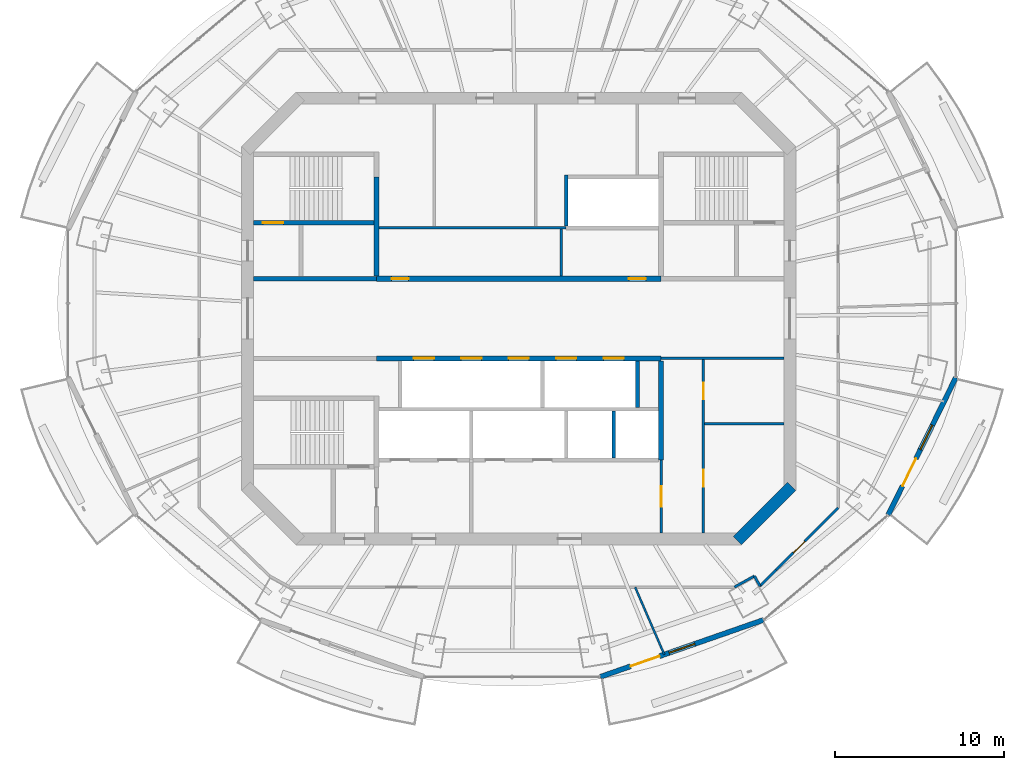
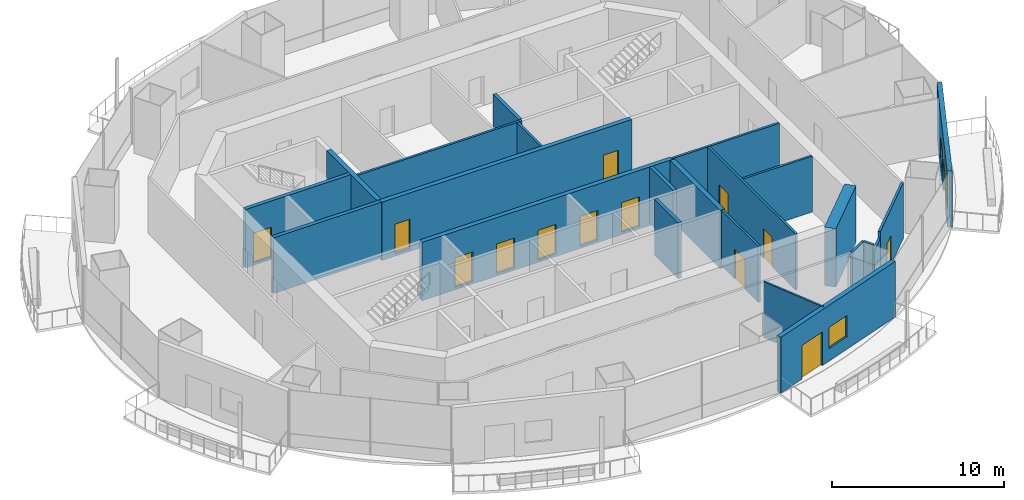
# One storey, part 9 of 16: 23 walls, 14 doors, 2 windows, 16 openings.
"""IFC4 building model written with IfcOpenShell, lengths in metres."""

from ifc_helpers import new_model, si_unit, direction, frame, frame_2d, origin, place, context, subcontext, project, spatial, rectangle, extrude, material, layer, layer_set, type_object, element, fill, save


model = new_model("IFC4")

# Units and contexts
model_context = context("Model", 3, precision=1e-05, world=origin(), true_north=direction((0.0, 1.0)))
body_context = subcontext(model_context, "Body", "Model", "MODEL_VIEW")
ifc_project = project(units=[si_unit("LENGTHUNIT", "METRE"), si_unit("AREAUNIT", "SQUARE_METRE"), si_unit("VOLUMEUNIT", "CUBIC_METRE"), si_unit("PLANEANGLEUNIT", "RADIAN"), si_unit("MASSUNIT", "GRAM", prefix="KILO")], contexts=[model_context])

# Site, building, storey
site_placement = place(None, origin())
site = spatial("IfcSite", under=ifc_project, at=site_placement, CompositionType="ELEMENT")
building_placement = place(site_placement, origin())
building = spatial("IfcBuilding", under=site, at=building_placement, Name="Marenthal Gate Tower", CompositionType="ELEMENT")
storey_placement = place(building_placement, frame((0.0, 0.0, 350.89990234375)))
storey = spatial("IfcBuildingStorey", under=building, at=storey_placement, Name="L79", CompositionType="ELEMENT", Elevation=350.89990234375)

# Wall
ifc_material_1 = material(Name="Concrete 60 MPa", Category="concrete")
ifc_layer_1 = layer(ifc_material_1, 0.699951171875)
ifc_layer_set_1 = layer_set([ifc_layer_1], Name="Core shear wall 700")
wall_type_1 = type_object("IfcWallType", Name="Core shear wall 700", PredefinedType="SHEAR", material=ifc_layer_set_1)
wall_1_placement = place(storey_placement, frame((12.8974609375, -13.1025390625, -0.179931640625), z_axis=(0.0, 0.0, 1.0), x_axis=(0.707106781187, 0.707106781187, 0.0)))
element("IfcWall", 1, at=wall_1_placement, inside=storey, type_object=wall_type_1, Name="Core wall 01", PredefinedType="SHEAR", context=body_context, shape_type="SweptSolid", body=[
    extrude(rectangle(XDim=4.53271484375, YDim=0.699951171875, at=frame_2d((2.266357421875, 0.0))), origin(), (0.0, 0.0, 1.0), 4.150146484375),
])

# Wall, openings, doors
ifc_material_2 = material(Name="Concrete 50 MPa", Category="concrete")
ifc_layer_2 = layer(ifc_material_2, 0.300048828125)
ifc_layer_set_2 = layer_set([ifc_layer_2], Name="Hoistway shear wall 300")
wall_type_2 = type_object("IfcWallType", Name="Hoistway shear wall 300", PredefinedType="SHEAR", material=ifc_layer_set_2)
wall_2_placement = place(storey_placement, frame((-8.39990234375, -2.35009765625, -0.179931640625), z_axis=(0.0, 0.0, 1.0), x_axis=(1.0, 0.0, 0.0)))
wall_2 = element("IfcWall", 2, at=wall_2_placement, inside=storey, type_object=wall_type_2, Name="Hoistway wall 16", PredefinedType="SHEAR", context=body_context, shape_type="SweptSolid", body=[
    extrude(rectangle(XDim=16.7998046875, YDim=0.300048828125, at=frame_2d((8.39990234375, 0.0))), origin(), (0.0, 0.0, 1.0), 4.150146484375),
])
opening_1_placement = place(wall_2_placement, frame((2.199951171875, 0.0, 0.179931640625)))
opening_1 = element("IfcOpeningElement", 3, at=opening_1_placement, cuts=wall_2, Name="Opening LD-HP1", PredefinedType="OPENING", context=body_context, shape_type="SweptSolid", body=[
    extrude(rectangle(XDim=1.199951171875, YDim=2.10009765625, at=frame_2d((0.60009765625, 1.050048828125))), frame((0.0, 0.16015625, 0.0), z_axis=(0.0, -1.0, 0.0), x_axis=(1.0, 0.0, 0.0)), (0.0, 0.0, 1.0), 0.320068359375),
])
opening_2_placement = place(wall_2_placement, frame((5.0, 0.0, 0.179931640625)))
opening_2 = element("IfcOpeningElement", 4, at=opening_2_placement, cuts=wall_2, Name="Opening LD-HP2", PredefinedType="OPENING", context=body_context, shape_type="SweptSolid", body=[
    extrude(rectangle(XDim=1.199951171875, YDim=2.10009765625, at=frame_2d((0.60009765625, 1.050048828125))), frame((0.0, 0.16015625, 0.0), z_axis=(0.0, -1.0, 0.0), x_axis=(1.0, 0.0, 0.0)), (0.0, 0.0, 1.0), 0.320068359375),
])
opening_3_placement = place(wall_2_placement, frame((7.800048828125, 0.0, 0.179931640625)))
opening_3 = element("IfcOpeningElement", 5, at=opening_3_placement, cuts=wall_2, Name="Opening LD-HP3", PredefinedType="OPENING", context=body_context, shape_type="SweptSolid", body=[
    extrude(rectangle(XDim=1.199951171875, YDim=2.10009765625, at=frame_2d((0.60009765625, 1.050048828125))), frame((0.0, 0.16015625, 0.0), z_axis=(0.0, -1.0, 0.0), x_axis=(1.0, 0.0, 0.0)), (0.0, 0.0, 1.0), 0.320068359375),
])
opening_4_placement = place(wall_2_placement, frame((10.60009765625, 0.0, 0.179931640625)))
opening_4 = element("IfcOpeningElement", 6, at=opening_4_placement, cuts=wall_2, Name="Opening LD-HP4", PredefinedType="OPENING", context=body_context, shape_type="SweptSolid", body=[
    extrude(rectangle(XDim=1.199951171875, YDim=2.10009765625, at=frame_2d((0.60009765625, 1.050048828125))), frame((0.0, 0.16015625, 0.0), z_axis=(0.0, -1.0, 0.0), x_axis=(1.0, 0.0, 0.0)), (0.0, 0.0, 1.0), 0.320068359375),
])
opening_5_placement = place(wall_2_placement, frame((13.39990234375, 0.0, 0.179931640625)))
opening_5 = element("IfcOpeningElement", 7, at=opening_5_placement, cuts=wall_2, Name="Opening LD-HP5", PredefinedType="OPENING", context=body_context, shape_type="SweptSolid", body=[
    extrude(rectangle(XDim=1.199951171875, YDim=2.10009765625, at=frame_2d((0.60009765625, 1.050048828125))), frame((0.0, 0.16015625, 0.0), z_axis=(0.0, -1.0, 0.0), x_axis=(1.0, 0.0, 0.0)), (0.0, 0.0, 1.0), 0.320068359375),
])
ifc_material_3 = material(Name="Stainless steel sliding door", Category="steel")
door_type_1 = type_object("IfcDoorType", Name="Lift landing door FD 90 1200 x 2100", OperationType="DOUBLE_DOOR_SLIDING", PredefinedType="DOOR", material=ifc_material_3)
door_1_placement = place(opening_1_placement, origin())
door_1 = element("IfcDoor", 8, at=door_1_placement, inside=storey, type_object=door_type_1, Name="Lift landing door HP1", OperationType="DOUBLE_DOOR_SLIDING", OverallHeight=2.10009765625, OverallWidth=1.199951171875, PredefinedType="DOOR", context=body_context, shape_type="SweptSolid", body=[
    extrude(rectangle(XDim=1.199951171875, YDim=2.10009765625, at=frame_2d((0.60009765625, 1.050048828125))), frame((0.0, 0.02490234375, 0.0), z_axis=(0.0, -1.0, 0.0), x_axis=(1.0, 0.0, 0.0)), (0.0, 0.0, 1.0), 0.050048828125),
])
fill(opening_1, door_1)
door_2_placement = place(opening_2_placement, origin())
door_2 = element("IfcDoor", 9, at=door_2_placement, inside=storey, type_object=door_type_1, Name="Lift landing door HP2", OperationType="DOUBLE_DOOR_SLIDING", OverallHeight=2.10009765625, OverallWidth=1.199951171875, PredefinedType="DOOR", context=body_context, shape_type="SweptSolid", body=[
    extrude(rectangle(XDim=1.199951171875, YDim=2.10009765625, at=frame_2d((0.60009765625, 1.050048828125))), frame((0.0, 0.02490234375, 0.0), z_axis=(0.0, -1.0, 0.0), x_axis=(1.0, 0.0, 0.0)), (0.0, 0.0, 1.0), 0.050048828125),
])
fill(opening_2, door_2)
door_3_placement = place(opening_3_placement, origin())
door_3 = element("IfcDoor", 10, at=door_3_placement, inside=storey, type_object=door_type_1, Name="Lift landing door HP3", OperationType="DOUBLE_DOOR_SLIDING", OverallHeight=2.10009765625, OverallWidth=1.199951171875, PredefinedType="DOOR", context=body_context, shape_type="SweptSolid", body=[
    extrude(rectangle(XDim=1.199951171875, YDim=2.10009765625, at=frame_2d((0.60009765625, 1.050048828125))), frame((0.0, 0.02490234375, 0.0), z_axis=(0.0, -1.0, 0.0), x_axis=(1.0, 0.0, 0.0)), (0.0, 0.0, 1.0), 0.050048828125),
])
fill(opening_3, door_3)
door_4_placement = place(opening_4_placement, origin())
door_4 = element("IfcDoor", 11, at=door_4_placement, inside=storey, type_object=door_type_1, Name="Lift landing door HP4", OperationType="DOUBLE_DOOR_SLIDING", OverallHeight=2.10009765625, OverallWidth=1.199951171875, PredefinedType="DOOR", context=body_context, shape_type="SweptSolid", body=[
    extrude(rectangle(XDim=1.199951171875, YDim=2.10009765625, at=frame_2d((0.60009765625, 1.050048828125))), frame((0.0, 0.02490234375, 0.0), z_axis=(0.0, -1.0, 0.0), x_axis=(1.0, 0.0, 0.0)), (0.0, 0.0, 1.0), 0.050048828125),
])
fill(opening_4, door_4)
door_5_placement = place(opening_5_placement, origin())
door_5 = element("IfcDoor", 12, at=door_5_placement, inside=storey, type_object=door_type_1, Name="Lift landing door HP5", OperationType="DOUBLE_DOOR_SLIDING", OverallHeight=2.10009765625, OverallWidth=1.199951171875, PredefinedType="DOOR", context=body_context, shape_type="SweptSolid", body=[
    extrude(rectangle(XDim=1.199951171875, YDim=2.10009765625, at=frame_2d((0.60009765625, 1.050048828125))), frame((0.0, 0.02490234375, 0.0), z_axis=(0.0, -1.0, 0.0), x_axis=(1.0, 0.0, 0.0)), (0.0, 0.0, 1.0), 0.050048828125),
])
fill(opening_5, door_5)

wall_3_placement = place(storey_placement, frame((-8.39990234375, 2.35009765625, -0.179931640625), z_axis=(0.0, 0.0, 1.0), x_axis=(1.0, 0.0, 0.0)))
wall_3 = element("IfcWall", 13, at=wall_3_placement, inside=storey, type_object=wall_type_2, Name="Hoistway wall 19", PredefinedType="SHEAR", context=body_context, shape_type="SweptSolid", body=[
    extrude(rectangle(XDim=16.7998046875, YDim=0.300048828125, at=frame_2d((8.39990234375, 0.0))), origin(), (0.0, 0.0, 1.0), 4.150146484375),
])
opening_6_placement = place(wall_3_placement, frame((0.89990234375, 0.0, 0.179931640625)))
opening_6 = element("IfcOpeningElement", 14, at=opening_6_placement, cuts=wall_3, Name="Opening D005.01", PredefinedType="OPENING", context=body_context, shape_type="SweptSolid", body=[
    extrude(rectangle(XDim=1.0, YDim=2.10009765625, at=frame_2d((0.5, 1.050048828125))), frame((0.0, 0.16015625, 0.0), z_axis=(0.0, -1.0, 0.0), x_axis=(1.0, 0.0, 0.0)), (0.0, 0.0, 1.0), 0.320068359375),
])
opening_7_placement = place(wall_3_placement, frame((14.89990234375, 0.0, 0.179931640625)))
opening_7 = element("IfcOpeningElement", 15, at=opening_7_placement, cuts=wall_3, Name="Opening D005.02", PredefinedType="OPENING", context=body_context, shape_type="SweptSolid", body=[
    extrude(rectangle(XDim=1.0, YDim=2.10009765625, at=frame_2d((0.5, 1.050048828125))), frame((0.0, 0.16015625, 0.0), z_axis=(0.0, -1.0, 0.0), x_axis=(1.0, 0.0, 0.0)), (0.0, 0.0, 1.0), 0.320068359375),
])
ifc_material_4 = material(Name="Steel fire door", Category="steel")
door_type_2 = type_object("IfcDoorType", Name="Fire door FD 45 1000 x 2100", OperationType="NOTDEFINED", PredefinedType="DOOR", material=ifc_material_4)
door_6_placement = place(opening_6_placement, origin())
door_6 = element("IfcDoor", 16, at=door_6_placement, inside=storey, type_object=door_type_2, Name="Door D005.01", OperationType="SINGLE_SWING_RIGHT", OverallHeight=2.10009765625, OverallWidth=1.0, PredefinedType="DOOR", context=body_context, shape_type="SweptSolid", body=[
    extrude(rectangle(XDim=1.0, YDim=2.10009765625, at=frame_2d((0.5, 1.050048828125))), frame((0.0, 0.02490234375, 0.0), z_axis=(0.0, -1.0, 0.0), x_axis=(1.0, 0.0, 0.0)), (0.0, 0.0, 1.0), 0.050048828125),
])
fill(opening_6, door_6)
door_7_placement = place(opening_7_placement, origin())
door_7 = element("IfcDoor", 17, at=door_7_placement, inside=storey, type_object=door_type_2, Name="Door D005.02", OperationType="SINGLE_SWING_RIGHT", OverallHeight=2.10009765625, OverallWidth=1.0, PredefinedType="DOOR", context=body_context, shape_type="SweptSolid", body=[
    extrude(rectangle(XDim=1.0, YDim=2.10009765625, at=frame_2d((0.5, 1.050048828125))), frame((0.0, 0.02490234375, 0.0), z_axis=(0.0, -1.0, 0.0), x_axis=(1.0, 0.0, 0.0)), (0.0, 0.0, 1.0), 0.050048828125),
])
fill(opening_7, door_7)

# Walls
for number, where, z_axis, x_axis, name in (
    (18, (-8.39990234375, 2.5, -0.179931640625), (0.0, 0.0, 1.0), (0.0, 1.0, 0.0), "Hoistway wall 32"),
    (19, (8.39990234375, -8.35009765625, -0.179931640625), (0.0, 0.0, 1.0), (0.0, 1.0, 0.0), "Hoistway wall 47"),
):
    element("IfcWall", number, at=place(storey_placement, frame(where, z_axis=z_axis, x_axis=x_axis)), inside=storey, type_object=wall_type_2, Name=name, PredefinedType="SHEAR", context=body_context, shape_type="SweptSolid", body=[
        extrude(rectangle(XDim=5.85009765625, YDim=0.300048828125, at=frame_2d((2.925048828125, 0.0))), origin(), (0.0, 0.0, 1.0), 4.150146484375),
    ])
ifc_material_5 = material(Name="Concrete 40 MPa", Category="concrete")
ifc_layer_3 = layer(ifc_material_5, 0.219970703125)
ifc_layer_set_3 = layer_set([ifc_layer_3], Name="Hoistway wall 220")
wall_type_3 = type_object("IfcWallType", Name="Hoistway wall 220", PredefinedType="STANDARD", material=ifc_layer_set_3)
wall_4_placement = place(storey_placement, frame((2.800048828125, 5.4599609375, 0.0), z_axis=(0.0, 0.0, 1.0), x_axis=(0.0, 1.0, 0.0)))
element("IfcWall", 20, at=wall_4_placement, inside=storey, type_object=wall_type_3, Name="Hoistway wall 42", PredefinedType="STANDARD", context=body_context, shape_type="SweptSolid", body=[
    extrude(rectangle(XDim=3.0, YDim=0.219970703125, at=frame_2d((1.5, 0.0))), origin(), (0.0, 0.0, 1.0), 3.97021484375),
])
wall_5_placement = place(storey_placement, frame((5.60009765625, -8.239990234375, 0.0), z_axis=(0.0, 0.0, 1.0), x_axis=(0.0, 1.0, 0.0)))
element("IfcWall", 21, at=wall_5_placement, inside=storey, type_object=wall_type_3, Name="Hoistway wall 43", PredefinedType="STANDARD", context=body_context, shape_type="SweptSolid", body=[
    extrude(rectangle(XDim=2.780029296875, YDim=0.219970703125, at=frame_2d((1.39013671875, 0.0))), origin(), (0.0, 0.0, 1.0), 3.97021484375),
])
wall_6_placement = place(storey_placement, frame((7.0, -5.239990234375, 0.0), z_axis=(0.0, 0.0, 1.0), x_axis=(0.0, 1.0, 0.0)))
element("IfcWall", 22, at=wall_6_placement, inside=storey, type_object=wall_type_3, Name="Hoistway wall 44", PredefinedType="STANDARD", context=body_context, shape_type="SweptSolid", body=[
    extrude(rectangle(XDim=2.739990234375, YDim=0.219970703125, at=frame_2d((1.3701171875, 0.0))), origin(), (0.0, 0.0, 1.0), 3.97021484375),
])
ifc_material_6 = material(Name="Gypsum board on steel studs", Category="steel")
ifc_layer_4 = layer(ifc_material_6, 0.1201171875)
ifc_layer_set_4 = layer_set([ifc_layer_4], Name="Partition 120")
wall_type_4 = type_object("IfcWallType", Name="Partition 120", PredefinedType="PARTITIONING", material=ifc_layer_set_4)
wall_7_placement = place(storey_placement, frame((6.86474609375, -15.85009765625, 0.0), z_axis=(0.0, 0.0, 1.0), x_axis=(0.397444614723, -0.917626164747, 0.0)))
element("IfcWall", 23, at=wall_7_placement, inside=storey, type_object=wall_type_4, Name="Partition wall 60", PredefinedType="PARTITIONING", context=body_context, shape_type="SweptSolid", body=[
    extrude(rectangle(XDim=4.334228515625, YDim=0.1201171875, at=frame_2d((2.1669921875, 0.0))), origin(), (0.0, 0.0, 1.0), 3.97021484375),
])
ifc_material_7 = material(Name="Gypsum board on steel studs", Category="steel")
ifc_layer_5 = layer(ifc_material_7, 0.14990234375)
ifc_layer_set_5 = layer_set([ifc_layer_5], Name="Partition 150")
wall_type_5 = type_object("IfcWallType", Name="Partition 150", PredefinedType="PARTITIONING", material=ifc_layer_set_5)
wall_8_placement = place(storey_placement, frame((10.97509765625, -6.199951171875, 0.0), z_axis=(0.0, 0.0, 1.0), x_axis=(1.0, 0.0, 0.0)))
element("IfcWall", 24, at=wall_8_placement, inside=storey, type_object=wall_type_5, Name="Partition wall 12", PredefinedType="PARTITIONING", context=body_context, shape_type="SweptSolid", body=[
    extrude(rectangle(XDim=4.6748046875, YDim=0.14990234375, at=frame_2d((2.33740234375, 0.0))), origin(), (0.0, 0.0, 1.0), 3.97021484375),
])
wall_9_placement = place(storey_placement, frame((8.39990234375, -2.35009765625, 0.0), z_axis=(0.0, 0.0, 1.0), x_axis=(1.0, 0.0, 0.0)))
element("IfcWall", 25, at=wall_9_placement, inside=storey, type_object=wall_type_5, Name="Partition wall 17", PredefinedType="PARTITIONING", context=body_context, shape_type="SweptSolid", body=[
    extrude(rectangle(XDim=7.25, YDim=0.14990234375, at=frame_2d((3.625, 0.0))), origin(), (0.0, 0.0, 1.0), 3.97021484375),
])
wall_10_placement = place(storey_placement, frame((-8.25, 5.35009765625, 0.0), z_axis=(0.0, 0.0, 1.0), x_axis=(1.0, 0.0, 0.0)))
element("IfcWall", 26, at=wall_10_placement, inside=storey, type_object=wall_type_5, Name="Partition wall 21", PredefinedType="PARTITIONING", context=body_context, shape_type="SweptSolid", body=[
    extrude(rectangle(XDim=11.050048828125, YDim=0.14990234375, at=frame_2d((5.52490234375, 0.0))), origin(), (0.0, 0.0, 1.0), 3.97021484375),
])
wall_11_placement = place(storey_placement, frame((2.52001953125, 2.5, 0.0), z_axis=(0.0, 0.0, 1.0), x_axis=(0.0, 1.0, 0.0)))
element("IfcWall", 27, at=wall_11_placement, inside=storey, type_object=wall_type_5, Name="Partition wall 40", PredefinedType="PARTITIONING", context=body_context, shape_type="SweptSolid", body=[
    extrude(rectangle(XDim=2.77490234375, YDim=0.14990234375, at=frame_2d((1.387451171875, 0.0))), origin(), (0.0, 0.0, 1.0), 3.97021484375),
])

# Wall, opening, door
wall_12_placement = place(storey_placement, frame((8.39990234375, -12.64990234375, 0.0), z_axis=(0.0, 0.0, 1.0), x_axis=(0.0, 1.0, 0.0)))
wall_12 = element("IfcWall", 28, at=wall_12_placement, inside=storey, type_object=wall_type_5, Name="Partition wall 46", PredefinedType="PARTITIONING", context=body_context, shape_type="SweptSolid", body=[
    extrude(rectangle(XDim=4.2998046875, YDim=0.14990234375, at=frame_2d((2.14990234375, 0.0))), origin(), (0.0, 0.0, 1.0), 3.97021484375),
])
opening_8_placement = place(wall_12_placement, frame((1.550048828125, 0.0, 0.0)))
opening_8 = element("IfcOpeningElement", 29, at=opening_8_placement, cuts=wall_12, Name="Opening D006.01", PredefinedType="OPENING", context=body_context, shape_type="SweptSolid", body=[
    extrude(rectangle(XDim=1.199951171875, YDim=2.10009765625, at=frame_2d((0.60009765625, 1.050048828125))), frame((0.0, 0.0849609375, 0.0), z_axis=(0.0, -1.0, 0.0), x_axis=(1.0, 0.0, 0.0)), (0.0, 0.0, 1.0), 0.169921875),
])
ifc_material_8 = material(Name="Steel fire door", Category="steel")
door_type_3 = type_object("IfcDoorType", Name="Fire door FD 45 1200 x 2100", OperationType="NOTDEFINED", PredefinedType="DOOR", material=ifc_material_8)
door_8_placement = place(opening_8_placement, frame((1.199951171875, 0.0, 0.0), z_axis=(0.0, 0.0, 1.0), x_axis=(-1.0, 0.0, 0.0)))
door_8 = element("IfcDoor", 30, at=door_8_placement, inside=storey, type_object=door_type_3, Name="Door D006.01", OperationType="SINGLE_SWING_LEFT", OverallHeight=2.10009765625, OverallWidth=1.199951171875, PredefinedType="DOOR", context=body_context, shape_type="SweptSolid", body=[
    extrude(rectangle(XDim=1.199951171875, YDim=2.10009765625, at=frame_2d((0.60009765625, 1.050048828125))), frame((0.0, 0.02490234375, 0.0), z_axis=(0.0, -1.0, 0.0), x_axis=(1.0, 0.0, 0.0)), (0.0, 0.0, 1.0), 0.050048828125),
])
fill(opening_8, door_8)

# Wall, openings, doors
wall_13_placement = place(storey_placement, frame((10.89990234375, -12.64990234375, 0.0), z_axis=(0.0, 0.0, 1.0), x_axis=(0.0, 1.0, 0.0)))
wall_13 = element("IfcWall", 31, at=wall_13_placement, inside=storey, type_object=wall_type_5, Name="Partition wall 50", PredefinedType="PARTITIONING", context=body_context, shape_type="SweptSolid", body=[
    extrude(rectangle(XDim=10.224853515625, YDim=0.14990234375, at=frame_2d((5.1123046875, 0.0))), origin(), (0.0, 0.0, 1.0), 3.97021484375),
])
opening_9_placement = place(wall_13_placement, frame((7.875, 0.0, 0.0)))
opening_9 = element("IfcOpeningElement", 32, at=opening_9_placement, cuts=wall_13, Name="Opening D005.07", PredefinedType="OPENING", context=body_context, shape_type="SweptSolid", body=[
    extrude(rectangle(XDim=1.0, YDim=2.10009765625, at=frame_2d((0.5, 1.050048828125))), frame((0.0, 0.0849609375, 0.0), z_axis=(0.0, -1.0, 0.0), x_axis=(1.0, 0.0, 0.0)), (0.0, 0.0, 1.0), 0.169921875),
])
opening_10_placement = place(wall_13_placement, frame((2.72509765625, 0.0, 0.0)))
opening_10 = element("IfcOpeningElement", 33, at=opening_10_placement, cuts=wall_13, Name="Opening D005.08", PredefinedType="OPENING", context=body_context, shape_type="SweptSolid", body=[
    extrude(rectangle(XDim=1.0, YDim=2.10009765625, at=frame_2d((0.5, 1.050048828125))), frame((0.0, 0.0849609375, 0.0), z_axis=(0.0, -1.0, 0.0), x_axis=(1.0, 0.0, 0.0)), (0.0, 0.0, 1.0), 0.169921875),
])
door_9_placement = place(opening_9_placement, frame((1.0, 0.0, 0.0), z_axis=(0.0, 0.0, 1.0), x_axis=(-1.0, 0.0, 0.0)))
door_9 = element("IfcDoor", 34, at=door_9_placement, inside=storey, type_object=door_type_2, Name="Door D005.07", OperationType="SINGLE_SWING_LEFT", OverallHeight=2.10009765625, OverallWidth=1.0, PredefinedType="DOOR", context=body_context, shape_type="SweptSolid", body=[
    extrude(rectangle(XDim=1.0, YDim=2.10009765625, at=frame_2d((0.5, 1.050048828125))), frame((0.0, 0.02490234375, 0.0), z_axis=(0.0, -1.0, 0.0), x_axis=(1.0, 0.0, 0.0)), (0.0, 0.0, 1.0), 0.050048828125),
])
fill(opening_9, door_9)
door_10_placement = place(opening_10_placement, frame((1.0, 0.0, 0.0), z_axis=(0.0, 0.0, 1.0), x_axis=(-1.0, 0.0, 0.0)))
door_10 = element("IfcDoor", 35, at=door_10_placement, inside=storey, type_object=door_type_2, Name="Door D005.08", OperationType="SINGLE_SWING_LEFT", OverallHeight=2.10009765625, OverallWidth=1.0, PredefinedType="DOOR", context=body_context, shape_type="SweptSolid", body=[
    extrude(rectangle(XDim=1.0, YDim=2.10009765625, at=frame_2d((0.5, 1.050048828125))), frame((0.0, 0.02490234375, 0.0), z_axis=(0.0, -1.0, 0.0), x_axis=(1.0, 0.0, 0.0)), (0.0, 0.0, 1.0), 0.050048828125),
])
fill(opening_10, door_10)

# Walls
wall_14_placement = place(storey_placement, frame((13.906982421875, -15.194580078125, 0.0), z_axis=(0.0, 0.0, 1.0), x_axis=(-0.874071918373, -0.485796543331, 0.0)))
element("IfcWall", 36, at=wall_14_placement, inside=storey, type_object=wall_type_5, Name="Partition wall 63", PredefinedType="PARTITIONING", context=body_context, shape_type="SweptSolid", body=[
    extrude(rectangle(XDim=1.349365234375, YDim=0.14990234375, at=frame_2d((0.6748046875, 0.0))), origin(), (0.0, 0.0, 1.0), 3.97021484375),
])
wall_15_placement = place(storey_placement, frame((14.23876953125, -15.791748046875, 0.0), z_axis=(0.0, 0.0, 1.0), x_axis=(-0.485673274087, 0.874140418261, 0.0)))
element("IfcWall", 37, at=wall_15_placement, inside=storey, type_object=wall_type_5, Name="Partition wall 65", PredefinedType="PARTITIONING", context=body_context, shape_type="SweptSolid", body=[
    extrude(rectangle(XDim=0.68310546875, YDim=0.14990234375, at=frame_2d((0.341552734375, 0.0))), origin(), (0.0, 0.0, 1.0), 3.97021484375),
])

# Wall, opening, door
wall_16_placement = place(storey_placement, frame((18.85009765625, -11.180419921875, 0.0), z_axis=(0.0, 0.0, 1.0), x_axis=(-0.707106781187, -0.707106781187, 0.0)))
wall_16 = element("IfcWall", 38, at=wall_16_placement, inside=storey, type_object=wall_type_5, Name="Partition wall 66", PredefinedType="PARTITIONING", context=body_context, shape_type="SweptSolid", body=[
    extrude(rectangle(XDim=5.173095703125, YDim=0.14990234375, at=frame_2d((2.58642578125, 0.0))), origin(), (0.0, 0.0, 1.0), 3.97021484375),
])
opening_11_placement = place(wall_16_placement, frame((2.785888671875, 0.0, 0.0)))
opening_11 = element("IfcOpeningElement", 39, at=opening_11_placement, cuts=wall_16, Name="Opening D016.05", PredefinedType="OPENING", context=body_context, shape_type="SweptSolid", body=[
    extrude(rectangle(XDim=0.949951171875, YDim=2.10009765625, at=frame_2d((0.47509765625, 1.050048828125))), frame((0.0, 0.0849609375, 0.0), z_axis=(0.0, -1.0, 0.0), x_axis=(1.0, 0.0, 0.0)), (0.0, 0.0, 1.0), 0.169921875),
])
ifc_material_9 = material(Name="Timber door", Category="wood")
door_type_4 = type_object("IfcDoorType", Name="Door 950 x 2100", OperationType="NOTDEFINED", PredefinedType="DOOR", material=ifc_material_9)
door_11_placement = place(opening_11_placement, origin())
door_11 = element("IfcDoor", 40, at=door_11_placement, inside=storey, type_object=door_type_4, Name="Door D016.05", OperationType="SINGLE_SWING_RIGHT", OverallHeight=2.10009765625, OverallWidth=0.949951171875, PredefinedType="DOOR", context=body_context, shape_type="SweptSolid", body=[
    extrude(rectangle(XDim=0.949951171875, YDim=2.10009765625, at=frame_2d((0.47509765625, 1.050048828125))), frame((0.0, 0.02490234375, 0.0), z_axis=(0.0, -1.0, 0.0), x_axis=(1.0, 0.0, 0.0)), (0.0, 0.0, 1.0), 0.050048828125),
])
fill(opening_11, door_11)

# Walls
wall_17_placement = place(storey_placement, frame((15.192138671875, -14.83837890625, 0.0), z_axis=(0.0, 0.0, 1.0), x_axis=(-0.707106781187, -0.707106781187, 0.0)))
element("IfcWall", 41, at=wall_17_placement, inside=storey, type_object=wall_type_5, Name="Partition wall 72", PredefinedType="PARTITIONING", context=body_context, shape_type="SweptSolid", body=[
    extrude(rectangle(XDim=1.348388671875, YDim=0.14990234375, at=frame_2d((0.67431640625, 0.0))), origin(), (0.0, 0.0, 1.0), 3.508056640625),
])
ifc_material_10 = material(Name="Concrete 40 MPa", Category="concrete")
ifc_layer_6 = layer(ifc_material_10, 0.25)
ifc_layer_set_6 = layer_set([ifc_layer_6], Name="Stair enclosure wall 250")
wall_type_6 = type_object("IfcWallType", Name="Stair enclosure wall 250", PredefinedType="STANDARD", material=ifc_layer_set_6)
wall_18_placement = place(storey_placement, frame((-15.64990234375, 2.35009765625, 0.0), z_axis=(0.0, 0.0, 1.0), x_axis=(1.0, 0.0, 0.0)))
element("IfcWall", 42, at=wall_18_placement, inside=storey, type_object=wall_type_6, Name="Stair wall 18", PredefinedType="STANDARD", context=body_context, shape_type="SweptSolid", body=[
    extrude(rectangle(XDim=7.25, YDim=0.25, at=frame_2d((3.625, 0.0))), origin(), (0.0, 0.0, 1.0), 3.97021484375),
])

# Wall, opening, door
ifc_material_11 = material(Name="Concrete 50 MPa", Category="concrete")
ifc_layer_7 = layer(ifc_material_11, 0.25)
ifc_layer_set_7 = layer_set([ifc_layer_7], Name="Stair shear wall 250")
wall_type_7 = type_object("IfcWallType", Name="Stair shear wall 250", PredefinedType="SHEAR", material=ifc_layer_set_7)
wall_19_placement = place(storey_placement, frame((-15.64990234375, 5.64990234375, -0.179931640625), z_axis=(0.0, 0.0, 1.0), x_axis=(1.0, 0.0, 0.0)))
wall_19 = element("IfcWall", 43, at=wall_19_placement, inside=storey, type_object=wall_type_7, Name="Stair wall 23", PredefinedType="SHEAR", context=body_context, shape_type="SweptSolid", body=[
    extrude(rectangle(XDim=7.099853515625, YDim=0.25, at=frame_2d((3.5498046875, 0.0))), origin(), (0.0, 0.0, 1.0), 4.150146484375),
])
opening_12_placement = place(wall_19_placement, frame((0.550048828125, 0.0, 0.179931640625)))
opening_12 = element("IfcOpeningElement", 44, at=opening_12_placement, cuts=wall_19, Name="Opening D001.01", PredefinedType="OPENING", context=body_context, shape_type="SweptSolid", body=[
    extrude(rectangle(XDim=1.199951171875, YDim=2.10009765625, at=frame_2d((0.60009765625, 1.050048828125))), frame((0.0, 0.135009765625, 0.0), z_axis=(0.0, -1.0, 0.0), x_axis=(1.0, 0.0, 0.0)), (0.0, 0.0, 1.0), 0.27001953125),
])
ifc_material_12 = material(Name="Steel fire door", Category="steel")
door_type_5 = type_object("IfcDoorType", Name="Fire door FD 90 1200 x 2100", OperationType="NOTDEFINED", PredefinedType="DOOR", material=ifc_material_12)
door_12_placement = place(opening_12_placement, origin())
door_12 = element("IfcDoor", 45, at=door_12_placement, inside=storey, type_object=door_type_5, Name="Door D001.01", OperationType="SINGLE_SWING_RIGHT", OverallHeight=2.10009765625, OverallWidth=1.199951171875, PredefinedType="DOOR", context=body_context, shape_type="SweptSolid", body=[
    extrude(rectangle(XDim=1.199951171875, YDim=2.10009765625, at=frame_2d((0.60009765625, 1.050048828125))), frame((0.0, 0.02490234375, 0.0), z_axis=(0.0, -1.0, 0.0), x_axis=(1.0, 0.0, 0.0)), (0.0, 0.0, 1.0), 0.050048828125),
])
fill(opening_12, door_12)

# Wall, openings, door, window
ifc_material_13 = material(Name="Terracotta cladding on insulated concrete-block backing", Category="masonry")
ifc_layer_8 = layer(ifc_material_13, 0.300048828125)
ifc_layer_set_8 = layer_set([ifc_layer_8], Name="Terracotta facade wall 300")
wall_type_8 = type_object("IfcWallType", Name="Terracotta facade wall 300", PredefinedType="SOLIDWALL", material=ifc_layer_set_8)
wall_20_placement = place(storey_placement, frame((4.810302734375, -21.14404296875, 0.0), z_axis=(0.0, 0.0, 1.0), x_axis=(0.944274972987, 0.329157675576, 0.0)))
wall_20 = element("IfcWall", 46, at=wall_20_placement, inside=storey, type_object=wall_type_8, Name="Terracotta facade wall L79 bay 13", PredefinedType="SOLIDWALL", context=body_context, shape_type="SweptSolid", body=[
    extrude(rectangle(XDim=10.195556640625, YDim=0.300048828125, at=frame_2d((5.09765625, 0.0))), origin(), (0.0, 0.0, 1.0), 3.97021484375),
])
opening_13_placement = place(wall_20_placement, frame((1.89990234375, 0.0, 0.0)))
opening_13 = element("IfcOpeningElement", 47, at=opening_13_placement, cuts=wall_20, Name="Opening BD-L79-13", PredefinedType="OPENING", context=body_context, shape_type="SweptSolid", body=[
    extrude(rectangle(XDim=1.800048828125, YDim=2.39990234375, at=frame_2d((0.89990234375, 1.199951171875))), frame((0.0, 0.16015625, 0.0), z_axis=(0.0, -1.0, 0.0), x_axis=(1.0, 0.0, 0.0)), (0.0, 0.0, 1.0), 0.320068359375),
])
opening_14_placement = place(wall_20_placement, frame((4.300048828125, 0.0, 0.89990234375)))
opening_14 = element("IfcOpeningElement", 48, at=opening_14_placement, cuts=wall_20, Name="Opening WN3-L79-13", PredefinedType="OPENING", context=body_context, shape_type="SweptSolid", body=[
    extrude(rectangle(XDim=1.60009765625, YDim=1.5, at=frame_2d((0.800048828125, 0.75))), frame((0.0, 0.16015625, 0.0), z_axis=(0.0, -1.0, 0.0), x_axis=(1.0, 0.0, 0.0)), (0.0, 0.0, 1.0), 0.320068359375),
])
ifc_material_14 = material(Name="Aluminium and glass", Category="aluminium")
door_type_6 = type_object("IfcDoorType", Name="Balcony door 1800x2400", OperationType="DOUBLE_DOOR_SINGLE_SWING", PredefinedType="DOOR", material=ifc_material_14)
door_13_placement = place(opening_13_placement, origin())
door_13 = element("IfcDoor", 49, at=door_13_placement, inside=storey, type_object=door_type_6, Name="Balcony door L79 bay 13", OperationType="SINGLE_SWING_LEFT", OverallHeight=2.39990234375, OverallWidth=1.800048828125, PredefinedType="DOOR", context=body_context, shape_type="SweptSolid", body=[
    extrude(rectangle(XDim=1.800048828125, YDim=2.39990234375, at=frame_2d((0.89990234375, 1.199951171875))), frame((0.0, 0.02490234375, 0.0), z_axis=(0.0, -1.0, 0.0), x_axis=(1.0, 0.0, 0.0)), (0.0, 0.0, 1.0), 0.050048828125),
])
fill(opening_13, door_13)
ifc_material_15 = material(Name="Aluminium and glass", Category="aluminium")
window_type = type_object("IfcWindowType", Name="Window 1600x1500", PartitioningType="DOUBLE_PANEL_VERTICAL", PredefinedType="WINDOW", material=ifc_material_15)
window_1_placement = place(opening_14_placement, origin())
window_1 = element("IfcWindow", 50, at=window_1_placement, inside=storey, type_object=window_type, Name="Window L79 bay 13", OverallHeight=1.5, OverallWidth=1.60009765625, PartitioningType="SINGLE_PANEL", PredefinedType="WINDOW", context=body_context, shape_type="SweptSolid", body=[
    extrude(rectangle(XDim=1.60009765625, YDim=1.5, at=frame_2d((0.800048828125, 0.75))), frame((0.0, 0.030029296875, 0.0), z_axis=(0.0, -1.0, 0.0), x_axis=(1.0, 0.0, 0.0)), (0.0, 0.0, 1.0), 0.06005859375),
])
fill(opening_14, window_1)

wall_21_placement = place(storey_placement, frame((21.80615234375, -11.5869140625, 0.0), z_axis=(0.0, 0.0, 1.0), x_axis=(0.441581239579, 0.897221270842, 0.0)))
wall_21 = element("IfcWall", 51, at=wall_21_placement, inside=storey, type_object=wall_type_8, Name="Terracotta facade wall L79 bay 15", PredefinedType="SOLIDWALL", context=body_context, shape_type="SweptSolid", body=[
    extrude(rectangle(XDim=9.0302734375, YDim=0.300048828125, at=frame_2d((4.51513671875, 0.0))), origin(), (0.0, 0.0, 1.0), 3.97021484375),
])
opening_15_placement = place(wall_21_placement, frame((1.89990234375, 0.0, 0.0)))
opening_15 = element("IfcOpeningElement", 52, at=opening_15_placement, cuts=wall_21, Name="Opening BD-L79-15", PredefinedType="OPENING", context=body_context, shape_type="SweptSolid", body=[
    extrude(rectangle(XDim=1.800048828125, YDim=2.39990234375, at=frame_2d((0.89990234375, 1.199951171875))), frame((0.0, 0.16015625, 0.0), z_axis=(0.0, -1.0, 0.0), x_axis=(1.0, 0.0, 0.0)), (0.0, 0.0, 1.0), 0.320068359375),
])
opening_16_placement = place(wall_21_placement, frame((4.300048828125, 0.0, 0.89990234375)))
opening_16 = element("IfcOpeningElement", 53, at=opening_16_placement, cuts=wall_21, Name="Opening WN3-L79-15", PredefinedType="OPENING", context=body_context, shape_type="SweptSolid", body=[
    extrude(rectangle(XDim=1.60009765625, YDim=1.5, at=frame_2d((0.800048828125, 0.75))), frame((0.0, 0.16015625, 0.0), z_axis=(0.0, -1.0, 0.0), x_axis=(1.0, 0.0, 0.0)), (0.0, 0.0, 1.0), 0.320068359375),
])
door_14_placement = place(opening_15_placement, origin())
door_14 = element("IfcDoor", 54, at=door_14_placement, inside=storey, type_object=door_type_6, Name="Balcony door L79 bay 15", OperationType="SINGLE_SWING_LEFT", OverallHeight=2.39990234375, OverallWidth=1.800048828125, PredefinedType="DOOR", context=body_context, shape_type="SweptSolid", body=[
    extrude(rectangle(XDim=1.800048828125, YDim=2.39990234375, at=frame_2d((0.89990234375, 1.199951171875))), frame((0.0, 0.02490234375, 0.0), z_axis=(0.0, -1.0, 0.0), x_axis=(1.0, 0.0, 0.0)), (0.0, 0.0, 1.0), 0.050048828125),
])
fill(opening_15, door_14)
window_2_placement = place(opening_16_placement, origin())
window_2 = element("IfcWindow", 55, at=window_2_placement, inside=storey, type_object=window_type, Name="Window L79 bay 15", OverallHeight=1.5, OverallWidth=1.60009765625, PartitioningType="SINGLE_PANEL", PredefinedType="WINDOW", context=body_context, shape_type="SweptSolid", body=[
    extrude(rectangle(XDim=1.60009765625, YDim=1.5, at=frame_2d((0.800048828125, 0.75))), frame((0.0, 0.030029296875, 0.0), z_axis=(0.0, -1.0, 0.0), x_axis=(1.0, 0.0, 0.0)), (0.0, 0.0, 1.0), 0.06005859375),
])
fill(opening_16, window_2)

save(model, "model.ifc")
